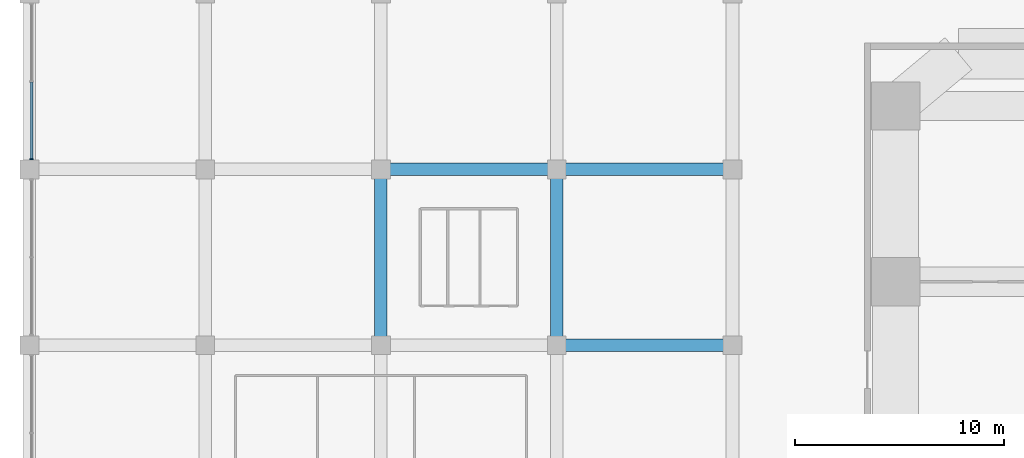
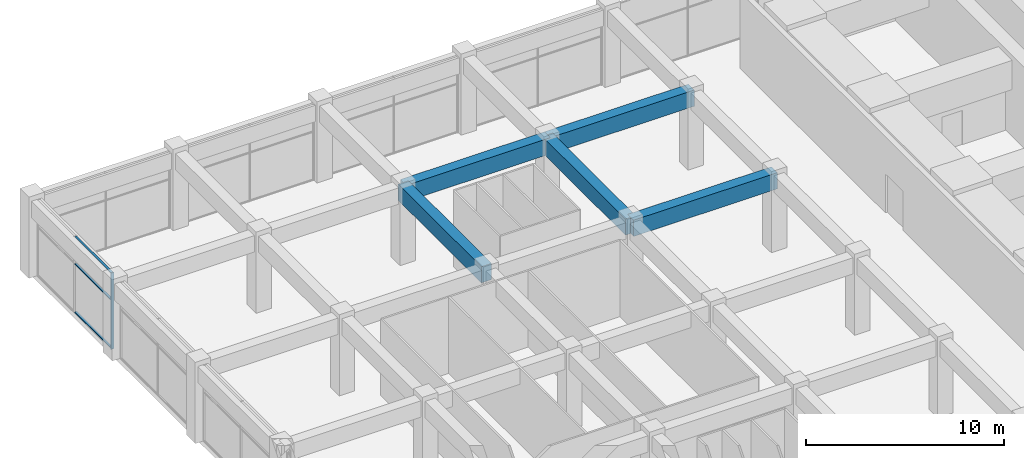
# One storey, part 17 of 36: 5 beams, 4 members, 1 element without a shape of its own.
"""IFC4 building model written with IfcOpenShell, lengths in metres."""

from ifc_helpers import new_model, si_unit, direction, frame, origin, origin_2d, place, context, subcontext, project, spatial, rectangle, extrude, material, material_profile, profile_set, type_object, element, aggregate, save


model = new_model("IFC4")

# Units and contexts
model_context = context("Model", 3, precision=1e-05, world=origin(), true_north=direction((0.0, 1.0)))
body_context = subcontext(model_context, "Body", "Model", "MODEL_VIEW")
ifc_project = project(units=[si_unit("LENGTHUNIT", "METRE"), si_unit("AREAUNIT", "SQUARE_METRE"), si_unit("VOLUMEUNIT", "CUBIC_METRE"), si_unit("PLANEANGLEUNIT", "RADIAN"), si_unit("MASSUNIT", "GRAM", prefix="KILO")], contexts=[model_context])

# Site, building, storey
site_placement = place(None, origin())
site = spatial("IfcSite", under=ifc_project, at=site_placement, CompositionType="ELEMENT")
building_placement = place(site_placement, origin())
building = spatial("IfcBuilding", under=site, at=building_placement, Name="Impinga Residences", CompositionType="ELEMENT")
storey_placement = place(building_placement, frame((0.0, 0.0, 6.0)))
storey = spatial("IfcBuildingStorey", under=building, at=storey_placement, Name="L01", CompositionType="ELEMENT", Elevation=6.0)

# Curtain wall, members
ifc_material_1 = material(Name="Aluminium stick curtain wall", Category="aluminium")
curtain_wall_type = type_object("IfcCurtainWallType", Name="CW1 podium amenity curtain wall", PredefinedType="USERDEFINED", material=ifc_material_1)
curtain_wall_placement = place(storey_placement, origin())
curtain_wall = element("IfcCurtainWall", 1, at=curtain_wall_placement, inside=storey, type_object=curtain_wall_type, Name="Curtain wall CW1 L01", ObjectType="STICK CURTAIN WALL", PredefinedType="USERDEFINED")
ifc_material_2 = material(Name="Aluminium mullion", Category="aluminium")
ifc_material_profile_1 = material_profile(ifc_material_2, rectangle(XDim=0.06005859375, YDim=0.179931640625, at=origin_2d()), Name="60x180 mullion")
ifc_profile_set_1 = profile_set([ifc_material_profile_1], Name="Aluminium mullion")
member_type_1 = type_object("IfcMemberType", Name="CW1-M mullion 60x180", PredefinedType="MULLION", material=ifc_profile_set_1)
member_1_placement = place(storey_placement, frame((-50.300048828125, 42.48291015625, 0.0), z_axis=(0.0, 0.0, 1.0), x_axis=(0.0, 1.0, 0.0)))
member_1 = element("IfcMember", 2, at=member_1_placement, type_object=member_type_1, Name="CW1 mullion 1", PredefinedType="MULLION", context=body_context, shape_type="SweptSolid", body=[
    extrude(rectangle(XDim=0.06005859375, YDim=0.179931640625, at=origin_2d()), origin(), (0.0, 0.0, 1.0), 4.699951171875),
])
ifc_material_3 = material(Name="Aluminium transom", Category="aluminium")
ifc_material_profile_2 = material_profile(ifc_material_3, rectangle(XDim=0.06005859375, YDim=0.1201171875, at=origin_2d()), Name="60x120 transom")
ifc_profile_set_2 = profile_set([ifc_material_profile_2], Name="Aluminium transom")
member_type_2 = type_object("IfcMemberType", Name="CW1-T transom 60x120", PredefinedType="USERDEFINED", material=ifc_profile_set_2)
member_2_placement = place(storey_placement, frame((-50.300048828125, 42.512939453125, 0.030029296875), z_axis=(0.0, 1.0, 0.0), x_axis=(0.0, 0.0, 1.0)))
member_2 = element("IfcMember", 3, at=member_2_placement, type_object=member_type_2, Name="CW1 transom 1.1", ObjectType="TRANSOM", PredefinedType="USERDEFINED", context=body_context, shape_type="SweptSolid", body=[
    extrude(rectangle(XDim=0.06005859375, YDim=0.1201171875, at=origin_2d()), origin(), (0.0, 0.0, 1.0), 3.656982421875),
])
member_3_placement = place(storey_placement, frame((-50.300048828125, 42.512939453125, 3.0), z_axis=(0.0, 1.0, 0.0), x_axis=(0.0, 0.0, 1.0)))
member_3 = element("IfcMember", 4, at=member_3_placement, type_object=member_type_2, Name="CW1 transom 1.2", ObjectType="TRANSOM", PredefinedType="USERDEFINED", context=body_context, shape_type="SweptSolid", body=[
    extrude(rectangle(XDim=0.06005859375, YDim=0.1201171875, at=origin_2d()), origin(), (0.0, 0.0, 1.0), 3.656982421875),
])
member_4_placement = place(storey_placement, frame((-50.300048828125, 42.512939453125, 4.669921875), z_axis=(0.0, 1.0, 0.0), x_axis=(0.0, 0.0, 1.0)))
member_4 = element("IfcMember", 5, at=member_4_placement, type_object=member_type_2, Name="CW1 transom 1.3", ObjectType="TRANSOM", PredefinedType="USERDEFINED", context=body_context, shape_type="SweptSolid", body=[
    extrude(rectangle(XDim=0.06005859375, YDim=0.1201171875, at=origin_2d()), origin(), (0.0, 0.0, 1.0), 3.656982421875),
])
aggregate(curtain_wall, [member_1, member_2, member_3, member_4])

# Beams
ifc_material_4 = material(Name="Concrete C60/75", Category="concrete")
ifc_material_profile_3 = material_profile(ifc_material_4, rectangle(XDim=0.60009765625, YDim=1.0, at=origin_2d()), Name="RC 600x1000")
ifc_profile_set_3 = profile_set([ifc_material_profile_3], Name="Concrete C60/75")
beam_type = type_object("IfcBeamType", Name="PB2 600x1000 podium beam", PredefinedType="BEAM", material=ifc_profile_set_3)
beam_1_placement = place(storey_placement, frame((-25.199951171875, 33.60009765625, 4.199951171875), z_axis=(1.0, 0.0, 0.0), x_axis=(0.0, 1.0, 0.0)))
element("IfcBeam", 6, at=beam_1_placement, inside=storey, type_object=beam_type, Name="Beam PB2 K/4-5 level L02", PredefinedType="BEAM", context=body_context, shape_type="SweptSolid", body=[
    extrude(rectangle(XDim=0.60009765625, YDim=1.0, at=origin_2d()), origin(), (0.0, 0.0, 1.0), 8.39990234375),
])
beam_2_placement = place(storey_placement, frame((-33.60009765625, 42.0, 4.199951171875), z_axis=(1.0, 0.0, 0.0), x_axis=(0.0, 1.0, 0.0)))
element("IfcBeam", 7, at=beam_2_placement, inside=storey, type_object=beam_type, Name="Beam PB2 L/3-4 level L02", PredefinedType="BEAM", context=body_context, shape_type="SweptSolid", body=[
    extrude(rectangle(XDim=0.60009765625, YDim=1.0, at=origin_2d()), origin(), (0.0, 0.0, 1.0), 8.400146484375),
])
for number, where, z_axis, x_axis, name in (
    (8, (-25.199951171875, 42.0, 4.199951171875), (1.0, 0.0, 0.0), (0.0, 1.0, 0.0), "Beam PB2 L/4-5 level L02"),
    (9, (-33.60009765625, 33.60009765625, 4.199951171875), (0.0, 1.0, 0.0), (-1.0, 0.0, 0.0), "Beam PB2 3/K-L level L02"),
    (10, (-25.199951171875, 33.60009765625, 4.199951171875), (0.0, 1.0, 0.0), (-1.0, 0.0, 0.0), "Beam PB2 4/K-L level L02"),
):
    element("IfcBeam", number, at=place(storey_placement, frame(where, z_axis=z_axis, x_axis=x_axis)), inside=storey, type_object=beam_type, Name=name, PredefinedType="BEAM", context=body_context, shape_type="SweptSolid", body=[
        extrude(rectangle(XDim=0.60009765625, YDim=1.0, at=origin_2d()), origin(), (0.0, 0.0, 1.0), 8.39990234375),
    ])

save(model, "model.ifc")
